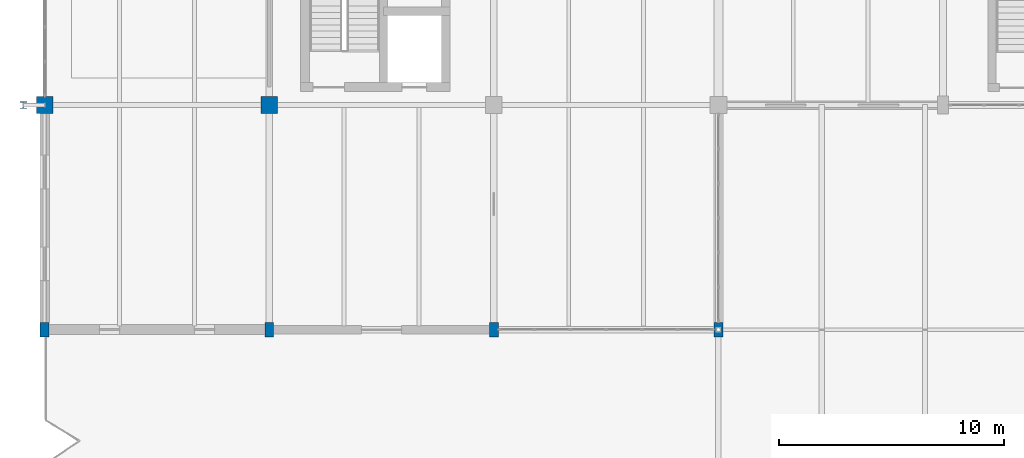
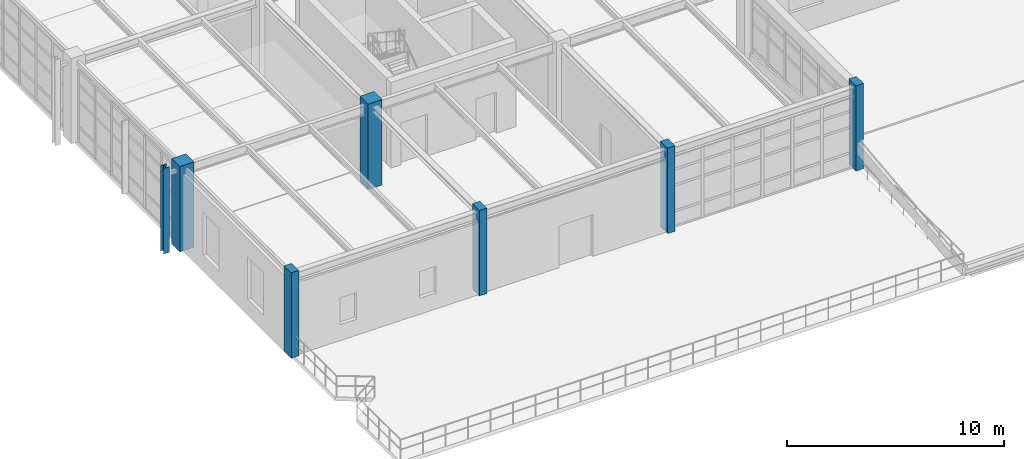
# One storey, part 1 of 139: 7 columns.
"""IFC4 building model written with IfcOpenShell, lengths in metres."""

import ifcopenshell
import ifcopenshell.guid

model = None  # the IFC model being written
_history = None  # IfcOwnerHistory: only IFC2X3 demands one
_inside = {}  # id of a spatial element -> (the spatial element, [elements in it])
_under = {}  # id of a project, library or spatial element -> (it, [spatial elements below it])
_declared = {}  # id of a project -> (the project, [libraries it declares])
_typed = {}  # id of a type object -> (the type object, [elements of that type])
_made_of = {}  # id of a material, layer set ... -> (it, [elements and type objects made of it])


def new_model(schema):
    """Start an empty IFC model of exactly this schema.

    Asked for "IFC4X3", IfcOpenShell would pick the latest addendum, in which some entities
    have other attributes; the version numbers below select the first issue.
    IFC2X3 requires an IfcOwnerHistory on every rooted entity: one is made here for all.
    """
    global model, _history
    if schema == "IFC4X3":
        model = ifcopenshell.file(schema_version=(4, 3, 0, 0))
    else:
        model = ifcopenshell.file(schema=schema)
    _inside.clear()
    _under.clear()
    _declared.clear()
    _typed.clear()
    _made_of.clear()
    _history = None
    if model.schema == "IFC2X3":
        org = make("IfcOrganization", Name="unknown")
        user = make(
            "IfcPersonAndOrganization",
            ThePerson=make("IfcPerson", FamilyName="unknown"),
            TheOrganization=org,
        )
        app = make(
            "IfcApplication",
            ApplicationDeveloper=org,
            Version="unknown",
            ApplicationFullName="unknown",
            ApplicationIdentifier="unknown",
        )
        _history = make(
            "IfcOwnerHistory",
            OwningUser=user,
            OwningApplication=app,
            ChangeAction="ADDED",
            CreationDate=0,
        )
    return model


def make(cls, **values):
    """One entity of the class cls with the attributes given. An attribute that is None is left unset."""
    return model.create_entity(
        cls, **{name: value for name, value in values.items() if value is not None}
    )


def rooted(cls, **values):
    """An entity with a GlobalId (a new one), such as an element, a storey or a relation."""
    return make(cls, GlobalId=ifcopenshell.guid.new(), OwnerHistory=_history, **values)


def si_unit(unit_type, name, prefix=None):
    """IfcSIUnit, for example si_unit("LENGTHUNIT", "METRE", prefix="MILLI")."""
    return make("IfcSIUnit", UnitType=unit_type, Prefix=prefix, Name=name)


def assignment(units):
    """IfcUnitAssignment: the units of a project."""
    return None if units is None else make("IfcUnitAssignment", Units=units)


def point(xyz):
    """IfcCartesianPoint."""
    return None if xyz is None else make("IfcCartesianPoint", Coordinates=xyz)


def direction(xyz):
    """IfcDirection."""
    return None if xyz is None else make("IfcDirection", DirectionRatios=xyz)


def frame(location, z_axis=None, x_axis=None):
    """IfcAxis2Placement3D, a coordinate frame: its origin and axes. An axis left out is left unset."""
    return make(
        "IfcAxis2Placement3D",
        Location=point(location),
        Axis=direction(z_axis),
        RefDirection=direction(x_axis),
    )


def frame_2d(location, x_axis=None):
    """IfcAxis2Placement2D, a coordinate frame in the plane: its origin and x axis."""
    return make(
        "IfcAxis2Placement2D", Location=point(location), RefDirection=direction(x_axis)
    )


def origin():
    """The frame at (0, 0, 0) with its axes left unset."""
    return frame((0.0, 0.0, 0.0))


def origin_2d():
    """The frame at (0, 0) in the plane with its x axis left unset."""
    return frame_2d((0.0, 0.0))


def place(relative_to, where):
    """IfcLocalPlacement: puts the frame where relative to a parent placement (None: the world)."""
    return make(
        "IfcLocalPlacement", PlacementRelTo=relative_to, RelativePlacement=where
    )


def context(
    kind, dimensions, precision=None, world=None, true_north=None, identifier=None
):
    """IfcGeometricRepresentationContext, for example the 3D "Model" context."""
    return make(
        "IfcGeometricRepresentationContext",
        ContextIdentifier=identifier,
        ContextType=kind,
        CoordinateSpaceDimension=dimensions,
        Precision=precision,
        WorldCoordinateSystem=world,
        TrueNorth=true_north,
    )


def subcontext(parent, identifier, kind, view, scale=None):
    """IfcGeometricRepresentationSubContext, for example "Body" below "Model"."""
    return make(
        "IfcGeometricRepresentationSubContext",
        ContextIdentifier=identifier,
        ContextType=kind,
        ParentContext=parent,
        TargetScale=scale,
        TargetView=view,
    )


def project(units=None, contexts=None):
    """IfcProject with its units and contexts."""
    return rooted(
        "IfcProject",
        Name="project",
        RepresentationContexts=contexts,
        UnitsInContext=assignment(units),
    )


def spatial(cls, under=None, at=None, **own):
    """A site, building, storey or space (cls), placed at a placement, below another one or the project."""
    s = rooted(cls, ObjectPlacement=at, **own)
    if under is not None:
        _under.setdefault(under.id(), (under, []))[1].append(s)
    return s


def profile(cls, at=None, kind="AREA", **sizes):
    """A parametric profile (cls). Its sizes go by their IFC names, for example OverallWidth=200.0."""
    return make(cls, ProfileType=kind, Position=at, **sizes)


def rectangle(**sizes):
    """IfcRectangleProfileDef."""
    return profile("IfcRectangleProfileDef", **sizes)


def i_section(**sizes):
    """IfcIShapeProfileDef."""
    return profile("IfcIShapeProfileDef", **sizes)


def extrude(swept, where, along, depth):
    """IfcExtrudedAreaSolid: the profile swept, set in the frame where, extruded along a direction by depth."""
    return make(
        "IfcExtrudedAreaSolid",
        SweptArea=swept,
        Position=where,
        ExtrudedDirection=direction(along),
        Depth=depth,
    )


def shape(context_of_items, identifier, shape_type, items):
    """IfcShapeRepresentation: the items that make up one representation, for example the "Body"."""
    return make(
        "IfcShapeRepresentation",
        ContextOfItems=context_of_items,
        RepresentationIdentifier=identifier,
        RepresentationType=shape_type,
        Items=items,
    )


def material(Name=None, Category=None):
    """IfcMaterial."""
    return make("IfcMaterial", Name=Name, Category=Category)


def material_profile(
    of_material, cross_section, Name=None, Category=None, Priority=None
):
    """IfcMaterialProfile: a cross section and its material."""
    return make(
        "IfcMaterialProfile",
        Name=Name,
        Material=of_material,
        Profile=cross_section,
        Priority=Priority,
        Category=Category,
    )


def profile_set(profiles, Name=None, composite=None):
    """IfcMaterialProfileSet."""
    return make(
        "IfcMaterialProfileSet",
        Name=Name,
        MaterialProfiles=profiles,
        CompositeProfile=composite,
    )


def made_of(thing, what):
    """Note that an element or type object is made of a material, layer set ...; save() writes the relation."""
    if what is not None:
        _made_of.setdefault(what.id(), (what, []))[1].append(thing)
    return thing


def type_object(cls, material=None, **own):
    """A type object (cls), such as IfcWallType, which elements share."""
    return made_of(rooted(cls, **own), material)


def element(
    cls,
    number,
    at=None,
    inside=None,
    cuts=None,
    type_object=None,
    material=None,
    context=None,
    identifier="Body",
    shape_type=None,
    held_by="IfcProductDefinitionShape",
    body=None,
    shapes=None,
    **own,
):
    """One element of the class cls, such as IfcWall. Its Tag is "e" and its number.

    at: its placement. inside: the storey or other place that contains it. cuts: it is an
    opening in that element (IfcRelVoidsElement). A single representation is given by context,
    identifier, shape_type and body (its items); several are given by shapes. held_by: the class
    of the entity that holds the representations. save() writes the other relations.
    """
    e = rooted(cls, Tag="e%d" % number, ObjectPlacement=at, **own)
    if body is not None:
        shapes = [shape(context, identifier, shape_type, body)]
    if shapes is not None:
        e.Representation = make(held_by, Representations=shapes)
    if inside is not None:
        _inside.setdefault(inside.id(), (inside, []))[1].append(e)
    if cuts is not None:
        rooted(
            "IfcRelVoidsElement", RelatingBuildingElement=cuts, RelatedOpeningElement=e
        )
    if type_object is not None:
        _typed.setdefault(type_object.id(), (type_object, []))[1].append(e)
    return made_of(e, material)


def aggregate(whole, parts):
    """IfcRelAggregates: a whole, such as a stair, and the parts it consists of."""
    return rooted("IfcRelAggregates", RelatingObject=whole, RelatedObjects=parts)


def save(model, path):
    """Write the relations noted so far, then the file.

    IfcRelAggregates (storeys below a building ...), IfcRelContainedInSpatialStructure (elements
    in a storey), IfcRelDefinesByType, IfcRelAssociatesMaterial and IfcRelDeclares: one each for
    every whole, place, type object, material and project.
    """
    for whole, parts in _under.values():
        aggregate(whole, parts)
    for where, things in _inside.values():
        rooted(
            "IfcRelContainedInSpatialStructure",
            RelatedElements=things,
            RelatingStructure=where,
        )
    for kind, things in _typed.values():
        rooted("IfcRelDefinesByType", RelatedObjects=things, RelatingType=kind)
    for what, things in _made_of.values():
        rooted("IfcRelAssociatesMaterial", RelatedObjects=things, RelatingMaterial=what)
    for by, libraries in _declared.values():
        rooted("IfcRelDeclares", RelatingContext=by, RelatedDefinitions=libraries)
    model.write(path)


model = new_model("IFC4")

# Units and contexts
model_context = context("Model", 3, precision=1e-05, world=origin(), true_north=direction((0.0, 1.0)))
body_context = subcontext(model_context, "Body", "Model", "MODEL_VIEW")
ifc_project = project(units=[si_unit("LENGTHUNIT", "METRE"), si_unit("AREAUNIT", "SQUARE_METRE"), si_unit("VOLUMEUNIT", "CUBIC_METRE"), si_unit("PLANEANGLEUNIT", "RADIAN"), si_unit("MASSUNIT", "GRAM", prefix="KILO"), si_unit("THERMODYNAMICTEMPERATUREUNIT", "KELVIN"), si_unit("POWERUNIT", "WATT")], contexts=[model_context])

# Site, building, storey
site_placement = place(None, origin())
site = spatial("IfcSite", under=ifc_project, at=site_placement, CompositionType="ELEMENT")
building_placement = place(site_placement, origin())
building = spatial("IfcBuilding", under=site, at=building_placement, Name="Korenveer Ferry Terminal", CompositionType="ELEMENT")
storey_placement = place(building_placement, frame((0.0, 0.0, 5.39990234375)))
storey = spatial("IfcBuildingStorey", under=building, at=storey_placement, Name="L01", CompositionType="ELEMENT", Elevation=5.39990234375)

# Columns
ifc_material_1 = material(Name="Concrete C45/55", Category="concrete")
ifc_material_profile_1 = material_profile(ifc_material_1, rectangle(XDim=0.39990234375, YDim=0.64990234375, at=origin_2d()), Name="RC 400x650")
ifc_profile_set_1 = profile_set([ifc_material_profile_1], Name="Concrete C45/55")
column_type_1 = type_object("IfcColumnType", Name="STR-COL-RC400X650", PredefinedType="COLUMN", material=ifc_profile_set_1)
for number, where, z_axis, x_axis, name in (
    (1, (0.0, 10.0, 0.0), (0.0, 0.0, 1.0), (1.0, 0.0, 0.0), "Column COL-L01-X0-Y10"),
    (2, (10.0, 10.0, 0.0), (0.0, 0.0, 1.0), (1.0, 0.0, 0.0), "Column COL-L01-X10-Y10"),
    (3, (20.0, 10.0, 0.0), (0.0, 0.0, 1.0), (1.0, 0.0, 0.0), "Column COL-L01-X20-Y10"),
    (4, (30.0, 10.0, 0.0), (0.0, 0.0, 1.0), (1.0, 0.0, 0.0), "Column COL-L01-X30-Y10"),
):
    element("IfcColumn", number, at=place(storey_placement, frame(where, z_axis=z_axis, x_axis=x_axis)), inside=storey, type_object=column_type_1, Name=name, PredefinedType="COLUMN", context=body_context, shape_type="SweptSolid", body=[
        extrude(rectangle(XDim=0.39990234375, YDim=0.64990234375, at=origin_2d()), origin(), (0.0, 0.0, 1.0), 4.800048828125),
    ])
ifc_material_profile_2 = material_profile(ifc_material_1, rectangle(XDim=0.75, YDim=0.75, at=origin_2d()), Name="RC 750x750")
ifc_profile_set_2 = profile_set([ifc_material_profile_2], Name="Concrete C45/55")
column_type_2 = type_object("IfcColumnType", Name="STR-COL-RC750", PredefinedType="COLUMN", material=ifc_profile_set_2)
for number, where, z_axis, x_axis, name in (
    (5, (0.0, 20.0, 0.0), (0.0, 0.0, 1.0), (1.0, 0.0, 0.0), "Column COL-L01-X0-Y20"),
    (6, (10.0, 20.0, 0.0), (0.0, 0.0, 1.0), (1.0, 0.0, 0.0), "Column COL-L01-X10-Y20"),
):
    element("IfcColumn", number, at=place(storey_placement, frame(where, z_axis=z_axis, x_axis=x_axis)), inside=storey, type_object=column_type_2, Name=name, PredefinedType="COLUMN", context=body_context, shape_type="SweptSolid", body=[
        extrude(rectangle(XDim=0.75, YDim=0.75, at=origin_2d()), origin(), (0.0, 0.0, 1.0), 4.800048828125),
    ])
ifc_material_2 = material(Name="Steel S355", Category="steel")
ifc_material_profile_3 = material_profile(ifc_material_2, i_section(OverallWidth=0.300048828125, OverallDepth=0.2900390625, WebThickness=0.008544921875, FlangeThickness=0.013916015625, FilletRadius=0.027099609375, at=origin_2d()), Name="HEA 300")
ifc_profile_set_3 = profile_set([ifc_material_profile_3], Name="Steel S355")
column_type_3 = type_object("IfcColumnType", Name="STR-PIL-BRICK450", PredefinedType="PILASTER", material=ifc_profile_set_3)
column_placement = place(storey_placement, frame((-0.949951171875, 20.0, 0.0), z_axis=(0.0, 0.0, 1.0), x_axis=(1.0, 0.0, 0.0)))
element("IfcColumn", 7, at=column_placement, inside=storey, type_object=column_type_3, Name="Buttress pilaster 2", PredefinedType="PILASTER", context=body_context, shape_type="SweptSolid", body=[
    extrude(i_section(OverallWidth=0.300048828125, OverallDepth=0.2900390625, WebThickness=0.008544921875, FlangeThickness=0.013916015625, FilletRadius=0.027099609375, at=origin_2d()), origin(), (0.0, 0.0, 1.0), 4.800048828125),
])

save(model, "model.ifc")
